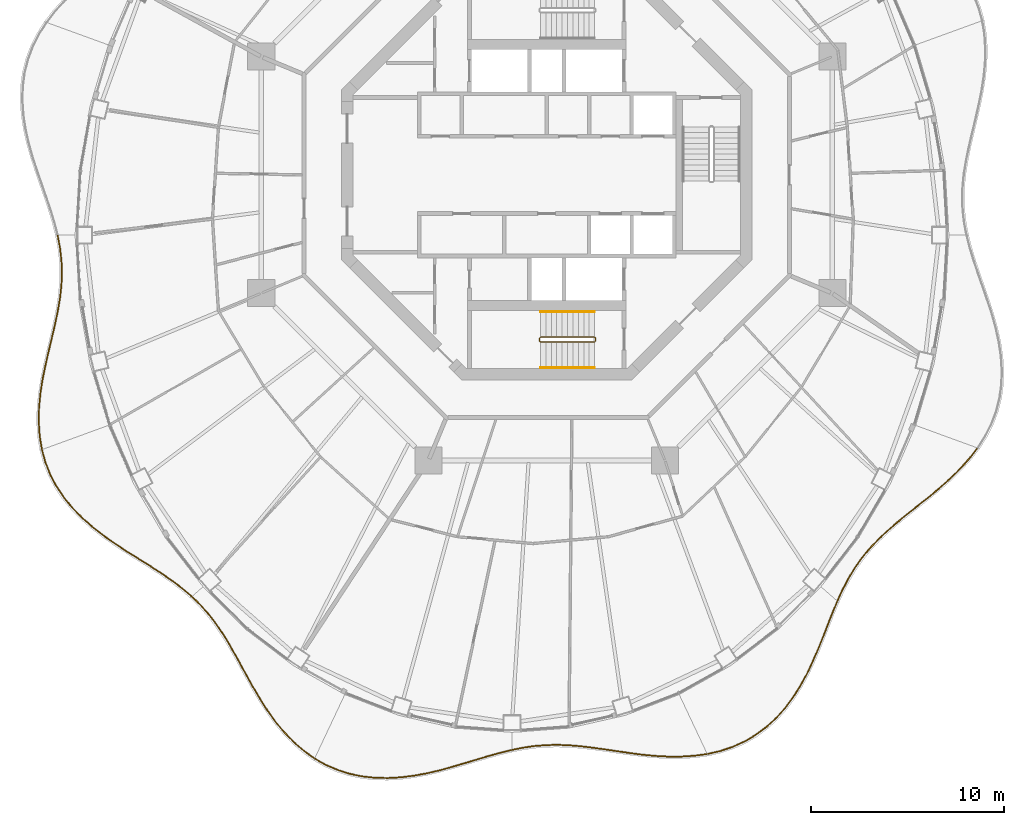
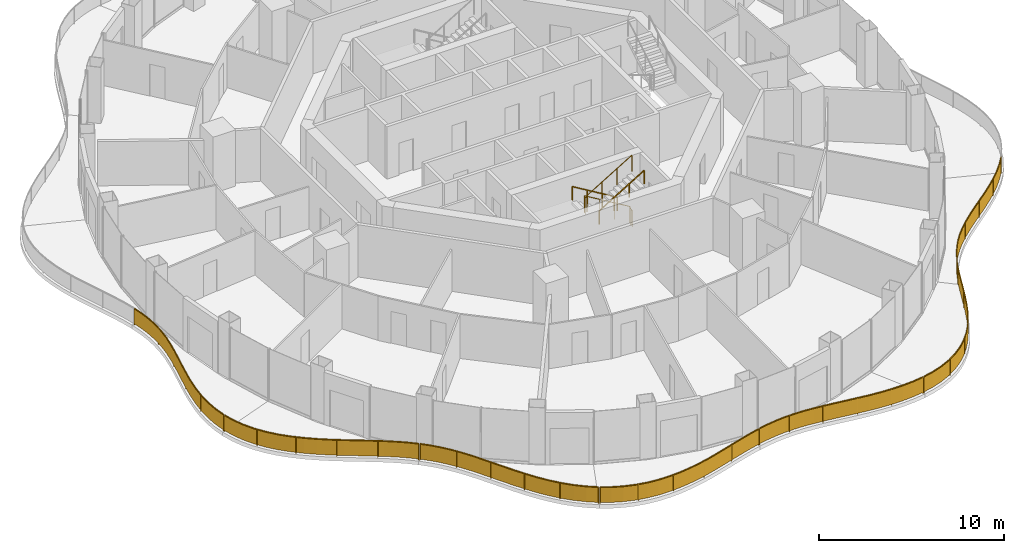
# One storey, part 15 of 17: 10 railings.
"""IFC4 building model written with IfcOpenShell, lengths in metres."""

from ifc_helpers import new_model, si_unit, direction, frame, origin, origin_2d, place, context, subcontext, project, spatial, polyline, rectangle, circle, outline, extrude, material, type_object, element, save


model = new_model("IFC4")

# Units and contexts
model_context = context("Model", 3, precision=1e-05, world=origin(), true_north=direction((0.0, 1.0)))
body_context = subcontext(model_context, "Body", "Model", "MODEL_VIEW")
ifc_project = project(units=[si_unit("LENGTHUNIT", "METRE"), si_unit("AREAUNIT", "SQUARE_METRE"), si_unit("VOLUMEUNIT", "CUBIC_METRE"), si_unit("PLANEANGLEUNIT", "RADIAN"), si_unit("MASSUNIT", "GRAM", prefix="KILO")], contexts=[model_context])

# Site, building, storey
site_placement = place(None, origin())
site = spatial("IfcSite", under=ifc_project, at=site_placement, CompositionType="ELEMENT")
building_placement = place(site_placement, origin())
building = spatial("IfcBuilding", under=site, at=building_placement, Name="Nagisa Residences", CompositionType="ELEMENT")
storey_placement = place(building_placement, frame((0.0, 0.0, 265.89990234375)))
storey = spatial("IfcBuildingStorey", under=building, at=storey_placement, Name="L67", CompositionType="ELEMENT", Elevation=265.89990234375)

# Railings
ifc_material_1 = material(Name="Stainless steel 316", Category="steel")
railing_type_1 = type_object("IfcRailingType", Name="BALCONY GUARD 1100", PredefinedType="BALUSTRADE", material=ifc_material_1)
railing_1_placement = place(storey_placement, frame((-25.318115234375, -3.15234375, 0.0)))
element("IfcRailing", 1, at=railing_1_placement, inside=storey, type_object=railing_type_1, Name="guard:L67:bal08-0", PredefinedType="BALUSTRADE", context=body_context, shape_type="SweptSolid", body=[
    extrude(outline(polyline([(0.140625, -0.60205078125), (0.024658203125, 0.004638671875), (-0.024658203125, -0.004638671875), (0.09130859375, -0.60986328125), (0.166748046875, -1.2529296875), (0.191650390625, -1.897216796875), (0.16748046875, -2.546630859375), (0.096923828125, -3.20458984375), (-0.01513671875, -3.860595703125), (-0.156494140625, -4.544189453125), (-0.31884765625, -5.242431640625), (-0.4892578125, -5.95556640625), (-0.654541015625, -6.68115234375), (-0.804931640625, -7.404052734375), (-0.92041015625, -8.14697265625), (-0.991455078125, -8.891845703125), (-1.007568359375, -9.6328125), (-0.95947265625, -10.364013671875), (-0.849365234375, -11.033203125), (-0.800048828125, -11.02490234375), (-0.90966796875, -10.358154296875), (-0.957275390625, -9.6318359375), (-0.941650390625, -8.894775390625), (-0.87060546875, -8.1533203125), (-0.755615234375, -7.412841796875), (-0.605712890625, -6.69189453125), (-0.4404296875, -5.966796875), (-0.27001953125, -5.254150390625), (-0.107666015625, -4.554931640625), (0.0341796875, -3.869873046875), (0.146728515625, -3.21142578125), (0.21728515625, -2.550048828125), (0.241943359375, -1.897216796875), (0.216552734375, -1.2490234375), (0.140625, -0.60205078125)])), frame((0.0, 0.0, 1.050048828125)), (0.0, 0.0, 1.0), 0.050048828125),
    extrude(outline(polyline([(0.122802734375, -0.60498046875), (0.0068359375, 0.001220703125), (-0.0068359375, -0.001220703125), (0.109130859375, -0.60693359375), (0.1845703125, -1.25146484375), (0.209716796875, -1.897216796875), (0.185302734375, -2.5478515625), (0.114990234375, -3.20703125), (0.002685546875, -3.864013671875), (-0.138916015625, -4.548095703125), (-0.30126953125, -5.24658203125), (-0.4716796875, -5.95947265625), (-0.636962890625, -6.68505859375), (-0.787109375, -7.4072265625), (-0.90234375, -8.149169921875), (-0.9736328125, -8.892822265625), (-0.989501953125, -9.632568359375), (-0.941650390625, -10.36181640625), (-0.83154296875, -11.0302734375), (-0.81787109375, -11.02783203125), (-0.927490234375, -10.3603515625), (-0.975341796875, -9.632080078125), (-0.95947265625, -8.893798828125), (-0.888671875, -8.151123046875), (-0.7734375, -7.40966796875), (-0.623291015625, -6.68798828125), (-0.4580078125, -5.962890625), (-0.28759765625, -5.25), (-0.125244140625, -4.551025390625), (0.016357421875, -3.866455078125), (0.128662109375, -3.208984375), (0.199462890625, -2.548828125), (0.223876953125, -1.897216796875), (0.19873046875, -1.25048828125), (0.122802734375, -0.60498046875)])), frame((0.0, 0.0, 0.06005859375)), (0.0, 0.0, 1.0), 0.989990234375),
    extrude(rectangle(XDim=0.0400390625, YDim=0.0400390625, at=origin_2d()), origin(), (0.0, 0.0, 1.0), 1.050048828125),
    extrude(rectangle(XDim=0.0400390625, YDim=0.0400390625, at=origin_2d()), frame((0.204833984375, -2.2177734375, 0.0)), (0.0, 0.0, 1.0), 1.050048828125),
    extrude(rectangle(XDim=0.0400390625, YDim=0.0400390625, at=origin_2d()), frame((-0.1064453125, -4.426025390625, 0.0)), (0.0, 0.0, 1.0), 1.050048828125),
    extrude(rectangle(XDim=0.0400390625, YDim=0.0400390625, at=origin_2d()), frame((-0.61083984375, -6.60205078125, 0.0)), (0.0, 0.0, 1.0), 1.050048828125),
    extrude(rectangle(XDim=0.0400390625, YDim=0.0400390625, at=origin_2d()), frame((-0.958251953125, -8.806396484375, 0.0)), (0.0, 0.0, 1.0), 1.050048828125),
    extrude(rectangle(XDim=0.0400390625, YDim=0.0400390625, at=origin_2d()), frame((-0.82470703125, -11.029052734375, 0.0)), (0.0, 0.0, 1.0), 1.050048828125),
])
railing_2_placement = place(storey_placement, frame((-26.12646484375, -14.2568359375, 0.0)))
element("IfcRailing", 2, at=railing_2_placement, inside=storey, type_object=railing_type_1, Name="guard:L67:bal09-0", PredefinedType="BALUSTRADE", context=body_context, shape_type="SweptSolid", body=[
    extrude(outline(polyline([(0.196533203125, -0.617919921875), (0.024169921875, 0.006591796875), (-0.024169921875, -0.006591796875), (0.149169921875, -0.634033203125), (0.406982421875, -1.28076171875), (0.734375, -1.897705078125), (1.1279296875, -2.48193359375), (1.5810546875, -3.031494140625), (2.07958984375, -3.53271484375), (2.626953125, -4.012939453125), (3.2060546875, -4.4619140625), (3.805908203125, -4.883544921875), (4.415283203125, -5.282958984375), (5.0146484375, -5.654541015625), (5.611083984375, -6.029541015625), (6.18798828125, -6.40380859375), (6.73828125, -6.78466796875), (7.2568359375, -7.179443359375), (7.710205078125, -7.567138671875), (7.742919921875, -7.529052734375), (7.2880859375, -7.140380859375), (6.767578125, -6.744140625), (6.2158203125, -6.3623046875), (5.637939453125, -5.987548828125), (5.041015625, -5.612060546875), (4.442138671875, -5.240966796875), (3.834228515625, -4.842041015625), (3.23583984375, -4.421875), (2.65869140625, -3.974365234375), (2.11376953125, -3.49609375), (1.6181640625, -2.997802734375), (1.16796875, -2.4521484375), (0.77734375, -1.871826171875), (0.452392578125, -1.259765625), (0.196533203125, -0.617919921875)])), frame((0.0, 0.0, 1.050048828125)), (0.0, 0.0, 1.0), 0.050048828125),
    extrude(outline(polyline([(0.179443359375, -0.623779296875), (0.0068359375, 0.001953125), (-0.0068359375, -0.001953125), (0.166259765625, -0.628173828125), (0.42333984375, -1.273193359375), (0.749755859375, -1.888427734375), (1.142333984375, -2.47119140625), (1.594482421875, -3.019287109375), (2.091796875, -3.51953125), (2.638427734375, -3.9990234375), (3.216796875, -4.447509765625), (3.816162109375, -4.86865234375), (4.425048828125, -5.267822265625), (5.024169921875, -5.63916015625), (5.620849609375, -6.014404296875), (6.197998046875, -6.388916015625), (6.748779296875, -6.77001953125), (7.26806640625, -7.165283203125), (7.721923828125, -7.553466796875), (7.731201171875, -7.542724609375), (7.27685546875, -7.154541015625), (6.757080078125, -6.7587890625), (6.205810546875, -6.377197265625), (5.628173828125, -6.002685546875), (5.031494140625, -5.62744140625), (4.432373046875, -5.256103515625), (3.823974609375, -4.85693359375), (3.22509765625, -4.436279296875), (2.647216796875, -3.98828125), (2.1015625, -3.50927734375), (1.604736328125, -3.010009765625), (1.153564453125, -2.462890625), (0.761962890625, -1.881103515625), (0.43603515625, -1.267333984375), (0.179443359375, -0.623779296875)])), frame((0.0, 0.0, 0.06005859375)), (0.0, 0.0, 1.0), 0.989990234375),
    extrude(rectangle(XDim=0.0400390625, YDim=0.0400390625, at=origin_2d()), origin(), (0.0, 0.0, 1.0), 1.050048828125),
    extrude(rectangle(XDim=0.0400390625, YDim=0.0400390625, at=origin_2d()), frame((0.856201171875, -2.033935546875, 0.0)), (0.0, 0.0, 1.0), 1.050048828125),
    extrude(rectangle(XDim=0.0400390625, YDim=0.0400390625, at=origin_2d()), frame((2.30810546875, -3.699951171875, 0.0)), (0.0, 0.0, 1.0), 1.050048828125),
    extrude(rectangle(XDim=0.0400390625, YDim=0.0400390625, at=origin_2d()), frame((4.078857421875, -5.032470703125, 0.0)), (0.0, 0.0, 1.0), 1.050048828125),
    extrude(rectangle(XDim=0.0400390625, YDim=0.0400390625, at=origin_2d()), frame((5.951904296875, -6.220947265625, 0.0)), (0.0, 0.0, 1.0), 1.050048828125),
    extrude(rectangle(XDim=0.0400390625, YDim=0.0400390625, at=origin_2d()), frame((7.7265625, -7.548095703125, 0.0)), (0.0, 0.0, 1.0), 1.050048828125),
])
railing_3_placement = place(storey_placement, frame((-18.34814453125, -21.850830078125, 0.0)))
element("IfcRailing", 3, at=railing_3_placement, inside=storey, type_object=railing_type_1, Name="guard:L67:bal10-0", PredefinedType="BALUSTRADE", context=body_context, shape_type="SweptSolid", body=[
    extrude(outline(polyline([(0.418701171875, -0.373779296875), (0.017578125, 0.017822265625), (-0.017578125, -0.017822265625), (0.382568359375, -0.408447265625), (0.781982421875, -0.855224609375), (1.15478515625, -1.331298828125), (1.50537109375, -1.837158203125), (1.839599609375, -2.3720703125), (2.152099609375, -2.922607421875), (2.473876953125, -3.50537109375), (2.80126953125, -4.103515625), (3.14111328125, -4.709228515625), (3.5009765625, -5.314453125), (3.8740234375, -5.901123046875), (4.289794921875, -6.475341796875), (4.741943359375, -7.020263671875), (5.2314453125, -7.526123046875), (5.759521484375, -7.983154296875), (6.284912109375, -8.35693359375), (6.313720703125, -8.31591796875), (5.790283203125, -7.943603515625), (5.265625, -7.489501953125), (4.779052734375, -6.987060546875), (4.329345703125, -6.444580078125), (3.91552734375, -5.872802734375), (3.54345703125, -5.2880859375), (3.1845703125, -4.684326171875), (2.84521484375, -4.0791015625), (2.517822265625, -3.4814453125), (2.195556640625, -2.898193359375), (1.882568359375, -2.3466796875), (1.54736328125, -1.809814453125), (1.1953125, -1.301513671875), (0.820556640625, -0.822998046875), (0.418701171875, -0.373779296875)])), frame((0.0, 0.0, 1.050048828125)), (0.0, 0.0, 1.0), 0.050048828125),
    extrude(outline(polyline([(0.40576171875, -0.38623046875), (0.0048828125, 0.005126953125), (-0.0048828125, -0.005126953125), (0.3955078125, -0.39599609375), (0.7958984375, -0.843505859375), (1.16943359375, -1.320556640625), (1.5205078125, -1.827392578125), (1.85498046875, -2.363037109375), (2.167724609375, -2.913818359375), (2.48974609375, -3.496826171875), (2.817138671875, -4.0947265625), (3.15673828125, -4.7001953125), (3.516357421875, -5.304931640625), (3.888916015625, -5.890869140625), (4.303955078125, -6.46435546875), (4.75537109375, -7.00830078125), (5.24365234375, -7.512939453125), (5.7705078125, -7.968994140625), (6.295166015625, -8.342041015625), (6.303466796875, -8.330810546875), (5.779296875, -7.957763671875), (5.25341796875, -7.502685546875), (4.765625, -6.9990234375), (4.315185546875, -6.45556640625), (3.900634765625, -5.883056640625), (3.528076171875, -5.297607421875), (3.1689453125, -4.693359375), (2.829345703125, -4.087890625), (2.501953125, -3.489990234375), (2.179931640625, -2.906982421875), (1.8671875, -2.355712890625), (1.5322265625, -1.819580078125), (1.1806640625, -1.312255859375), (0.806640625, -0.834716796875), (0.40576171875, -0.38623046875)])), frame((0.0, 0.0, 0.06005859375)), (0.0, 0.0, 1.0), 0.989990234375),
    extrude(rectangle(XDim=0.0400390625, YDim=0.0400390625, at=origin_2d()), origin(), (0.0, 0.0, 1.0), 1.050048828125),
    extrude(rectangle(XDim=0.0400390625, YDim=0.0400390625, at=origin_2d()), frame((1.36962890625, -1.59716796875, 0.0)), (0.0, 0.0, 1.0), 1.050048828125),
    extrude(rectangle(XDim=0.0400390625, YDim=0.0400390625, at=origin_2d()), frame((2.448486328125, -3.40771484375, 0.0)), (0.0, 0.0, 1.0), 1.050048828125),
    extrude(rectangle(XDim=0.0400390625, YDim=0.0400390625, at=origin_2d()), frame((3.4873046875, -5.24267578125, 0.0)), (0.0, 0.0, 1.0), 1.050048828125),
    extrude(rectangle(XDim=0.0400390625, YDim=0.0400390625, at=origin_2d()), frame((4.717529296875, -6.951904296875, 0.0)), (0.0, 0.0, 1.0), 1.050048828125),
    extrude(rectangle(XDim=0.0400390625, YDim=0.0400390625, at=origin_2d()), frame((6.29931640625, -8.33642578125, 0.0)), (0.0, 0.0, 1.0), 1.050048828125),
])
railing_4_placement = place(storey_placement, frame((-11.983642578125, -30.229248046875, 0.0)))
element("IfcRailing", 4, at=railing_4_placement, inside=storey, type_object=railing_type_1, Name="guard:L67:bal11-0", PredefinedType="BALUSTRADE", context=body_context, shape_type="SweptSolid", body=[
    extrude(outline(polyline([(0.54638671875, -0.281494140625), (0.012451171875, 0.021728515625), (-0.012451171875, -0.021728515625), (0.52392578125, -0.326416015625), (1.1328125, -0.59228515625), (1.767333984375, -0.79443359375), (2.4228515625, -0.93212890625), (3.09326171875, -1.0068359375), (3.7578125, -1.017578125), (4.44287109375, -0.978759765625), (5.12744140625, -0.892333984375), (5.806640625, -0.7666015625), (6.4765625, -0.610107421875), (7.11669921875, -0.43017578125), (7.760498046875, -0.2412109375), (8.3896484375, -0.051025390625), (9.004638671875, 0.131103515625), (9.606689453125, 0.2978515625), (10.155029296875, 0.43212890625), (10.143310546875, 0.48095703125), (9.593994140625, 0.34619140625), (8.990966796875, 0.179443359375), (8.37548828125, -0.003173828125), (7.746337890625, -0.193359375), (7.10302734375, -0.3818359375), (6.4638671875, -0.561767578125), (5.79638671875, -0.7177734375), (5.11962890625, -0.843017578125), (4.4384765625, -0.928955078125), (3.7568359375, -0.96728515625), (3.0966796875, -0.95703125), (2.4306640625, -0.8828125), (1.780029296875, -0.74609375), (1.150390625, -0.54541015625), (0.54638671875, -0.281494140625)])), frame((0.0, 0.0, 1.050048828125)), (0.0, 0.0, 1.0), 0.050048828125),
    extrude(outline(polyline([(0.538330078125, -0.297607421875), (0.00341796875, 0.006103515625), (-0.00341796875, -0.006103515625), (0.531982421875, -0.310302734375), (1.13916015625, -0.575439453125), (1.77197265625, -0.777099609375), (2.425537109375, -0.914306640625), (3.094482421875, -0.989013671875), (3.757568359375, -0.99951171875), (4.44140625, -0.9609375), (5.12451171875, -0.87451171875), (5.802978515625, -0.7490234375), (6.471923828125, -0.5927734375), (7.11181640625, -0.412841796875), (7.75537109375, -0.223876953125), (8.384521484375, -0.03369140625), (8.999755859375, 0.1484375), (9.60205078125, 0.315185546875), (10.15087890625, 0.44970703125), (10.1474609375, 0.46337890625), (9.5986328125, 0.328857421875), (8.995849609375, 0.162109375), (8.380615234375, -0.0205078125), (7.75146484375, -0.210693359375), (7.10791015625, -0.399169921875), (6.468505859375, -0.5791015625), (5.800048828125, -0.7353515625), (5.12255859375, -0.86083984375), (4.43994140625, -0.94677734375), (3.757080078125, -0.9853515625), (3.095458984375, -0.974853515625), (2.427978515625, -0.900634765625), (1.775390625, -0.763427734375), (1.14404296875, -0.562255859375), (0.538330078125, -0.297607421875)])), frame((0.0, 0.0, 0.06005859375)), (0.0, 0.0, 1.0), 0.989990234375),
    extrude(rectangle(XDim=0.0400390625, YDim=0.0400390625, at=origin_2d()), origin(), (0.0, 0.0, 1.0), 1.050048828125),
    extrude(rectangle(XDim=0.0400390625, YDim=0.0400390625, at=origin_2d()), frame((1.932861328125, -0.8037109375, 0.0)), (0.0, 0.0, 1.0), 1.050048828125),
    extrude(rectangle(XDim=0.0400390625, YDim=0.0400390625, at=origin_2d()), frame((4.0205078125, -0.9775390625, 0.0)), (0.0, 0.0, 1.0), 1.050048828125),
    extrude(rectangle(XDim=0.0400390625, YDim=0.0400390625, at=origin_2d()), frame((6.09814453125, -0.6728515625, 0.0)), (0.0, 0.0, 1.0), 1.050048828125),
    extrude(rectangle(XDim=0.0400390625, YDim=0.0400390625, at=origin_2d()), frame((8.123046875, -0.10546875, 0.0)), (0.0, 0.0, 1.0), 1.050048828125),
    extrude(rectangle(XDim=0.0400390625, YDim=0.0400390625, at=origin_2d()), frame((10.149169921875, 0.45654296875, 0.0)), (0.0, 0.0, 1.0), 1.050048828125),
])
railing_5_placement = place(storey_placement, frame((-1.765380859375, -29.755615234375, 0.0)))
element("IfcRailing", 5, at=railing_5_placement, inside=storey, type_object=railing_type_1, Name="guard:L67:bal12-0", PredefinedType="BALUSTRADE", context=body_context, shape_type="SweptSolid", body=[
    extrude(outline(polyline([(0.537353515625, 0.1318359375), (-0.0048828125, 0.024658203125), (0.0048828125, -0.024658203125), (0.545654296875, 0.08251953125), (1.12548828125, 0.164794921875), (1.705322265625, 0.213134765625), (2.289306640625, 0.226806640625), (2.88037109375, 0.20849609375), (3.465087890625, 0.15869140625), (4.08056640625, 0.088134765625), (4.710693359375, 0.00146484375), (5.355712890625, -0.09375), (6.015380859375, -0.188720703125), (6.670654296875, -0.27880859375), (7.3525390625, -0.34423828125), (8.0400390625, -0.381103515625), (8.728271484375, -0.381591796875), (9.411865234375, -0.337158203125), (10.03759765625, -0.250732421875), (10.03076171875, -0.200927734375), (9.406982421875, -0.287353515625), (8.726806640625, -0.331298828125), (8.04150390625, -0.331298828125), (7.3564453125, -0.29443359375), (6.676513671875, -0.22900390625), (6.022216796875, -0.138916015625), (5.363037109375, -0.04443359375), (4.717529296875, 0.05078125), (4.0869140625, 0.137939453125), (3.469970703125, 0.20849609375), (2.88330078125, 0.25830078125), (2.289306640625, 0.277099609375), (1.702880859375, 0.262939453125), (1.1201171875, 0.214599609375), (0.537353515625, 0.1318359375)])), frame((0.0, 0.0, 1.050048828125)), (0.0, 0.0, 1.0), 0.050048828125),
    extrude(outline(polyline([(0.540283203125, 0.114013671875), (-0.00146484375, 0.0068359375), (0.00146484375, -0.0068359375), (0.542724609375, 0.100341796875), (1.12353515625, 0.1826171875), (1.70458984375, 0.23095703125), (2.289306640625, 0.244873046875), (2.88134765625, 0.226318359375), (3.466796875, 0.176513671875), (4.082763671875, 0.106201171875), (4.713134765625, 0.019287109375), (5.3583984375, -0.075927734375), (6.017822265625, -0.170654296875), (6.6728515625, -0.2607421875), (7.35400390625, -0.326416015625), (8.04052734375, -0.36328125), (8.727783203125, -0.363525390625), (9.41015625, -0.3193359375), (10.03515625, -0.232666015625), (10.033203125, -0.218994140625), (9.40869140625, -0.30517578125), (8.727294921875, -0.349365234375), (8.041015625, -0.34912109375), (7.35498046875, -0.312255859375), (6.67431640625, -0.2470703125), (6.019775390625, -0.156982421875), (5.3603515625, -0.062255859375), (4.715087890625, 0.032958984375), (4.084716796875, 0.119873046875), (3.46826171875, 0.190673828125), (2.88232421875, 0.240478515625), (2.289306640625, 0.259033203125), (1.70361328125, 0.2451171875), (1.1220703125, 0.19677734375), (0.540283203125, 0.114013671875)])), frame((0.0, 0.0, 0.06005859375)), (0.0, 0.0, 1.0), 0.989990234375),
    extrude(rectangle(XDim=0.0400390625, YDim=0.0400390625, at=origin_2d()), origin(), (0.0, 0.0, 1.0), 1.050048828125),
    extrude(rectangle(XDim=0.0400390625, YDim=0.0400390625, at=origin_2d()), frame((2.0009765625, 0.2451171875, 0.0)), (0.0, 0.0, 1.0), 1.050048828125),
    extrude(rectangle(XDim=0.0400390625, YDim=0.0400390625, at=origin_2d()), frame((4.01416015625, 0.12109375, 0.0)), (0.0, 0.0, 1.0), 1.050048828125),
    extrude(rectangle(XDim=0.0400390625, YDim=0.0400390625, at=origin_2d()), frame((6.013427734375, -0.1630859375, 0.0)), (0.0, 0.0, 1.0), 1.050048828125),
    extrude(rectangle(XDim=0.0400390625, YDim=0.0400390625, at=origin_2d()), frame((8.022216796875, -0.355224609375, 0.0)), (0.0, 0.0, 1.0), 1.050048828125),
    extrude(rectangle(XDim=0.0400390625, YDim=0.0400390625, at=origin_2d()), frame((10.0341796875, -0.225830078125, 0.0)), (0.0, 0.0, 1.0), 1.050048828125),
])
railing_6_placement = place(storey_placement, frame((8.344970703125, -29.968017578125, 0.0)))
element("IfcRailing", 6, at=railing_6_placement, inside=storey, type_object=railing_type_1, Name="guard:L67:bal13-0", PredefinedType="BALUSTRADE", context=body_context, shape_type="SweptSolid", body=[
    extrude(outline(polyline([(0.626220703125, 0.168701171875), (-0.005615234375, 0.0244140625), (0.005615234375, -0.0244140625), (0.639892578125, 0.120361328125), (1.296142578125, 0.341064453125), (1.921630859375, 0.6259765625), (2.511474609375, 0.974853515625), (3.05859375, 1.38330078125), (3.553955078125, 1.842529296875), (4.016357421875, 2.359619140625), (4.43505859375, 2.919921875), (4.811767578125, 3.514892578125), (5.150390625, 4.135498046875), (5.44384765625, 4.76171875), (5.722900390625, 5.40576171875), (5.982421875, 6.048828125), (6.23046875, 6.68310546875), (6.4755859375, 7.302001953125), (6.707763671875, 7.860595703125), (6.661376953125, 7.879638671875), (6.42919921875, 7.321044921875), (6.18408203125, 6.70166015625), (5.93603515625, 6.0673828125), (5.676513671875, 5.42529296875), (5.3984375, 4.7822265625), (5.10595703125, 4.157958984375), (4.768798828125, 3.540283203125), (4.39404296875, 2.9482421875), (3.977783203125, 2.391357421875), (3.518310546875, 1.877685546875), (3.0263671875, 1.421875), (2.483642578125, 1.016357421875), (1.898681640625, 0.67041015625), (1.277587890625, 0.387451171875), (0.626220703125, 0.168701171875)])), frame((0.0, 0.0, 1.050048828125)), (0.0, 0.0, 1.0), 0.050048828125),
    extrude(outline(polyline([(0.631103515625, 0.1513671875), (-0.00146484375, 0.0068359375), (0.00146484375, -0.0068359375), (0.635009765625, 0.1376953125), (1.28955078125, 0.357666015625), (1.913330078125, 0.64208984375), (2.50146484375, 0.98974609375), (3.046875, 1.397216796875), (3.541015625, 1.855224609375), (4.00244140625, 2.37109375), (4.42041015625, 2.93017578125), (4.79638671875, 3.52392578125), (5.134521484375, 4.1435546875), (5.427490234375, 4.76904296875), (5.7060546875, 5.412841796875), (5.9658203125, 6.055419921875), (6.2138671875, 6.68994140625), (6.458984375, 7.308837890625), (6.69091796875, 7.867431640625), (6.67822265625, 7.872802734375), (6.44580078125, 7.314208984375), (6.20068359375, 6.69482421875), (5.95263671875, 6.060791015625), (5.693359375, 5.418212890625), (5.414794921875, 4.77490234375), (5.121826171875, 4.14990234375), (4.7841796875, 3.53125), (4.40869140625, 2.93798828125), (3.99169921875, 2.3798828125), (3.53125, 1.864990234375), (3.0380859375, 1.407958984375), (2.49365234375, 1.00146484375), (1.906982421875, 0.654296875), (1.2841796875, 0.370849609375), (0.631103515625, 0.1513671875)])), frame((0.0, 0.0, 0.06005859375)), (0.0, 0.0, 1.0), 0.989990234375),
    extrude(rectangle(XDim=0.0400390625, YDim=0.0400390625, at=origin_2d()), origin(), (0.0, 0.0, 1.0), 1.050048828125),
    extrude(rectangle(XDim=0.0400390625, YDim=0.0400390625, at=origin_2d()), frame((2.043212890625, 0.726806640625, 0.0)), (0.0, 0.0, 1.0), 1.050048828125),
    extrude(rectangle(XDim=0.0400390625, YDim=0.0400390625, at=origin_2d()), frame((3.734375, 2.081787109375, 0.0)), (0.0, 0.0, 1.0), 1.050048828125),
    extrude(rectangle(XDim=0.0400390625, YDim=0.0400390625, at=origin_2d()), frame((4.974609375, 3.865478515625, 0.0)), (0.0, 0.0, 1.0), 1.050048828125),
    extrude(rectangle(XDim=0.0400390625, YDim=0.0400390625, at=origin_2d()), frame((5.874267578125, 5.847900390625, 0.0)), (0.0, 0.0, 1.0), 1.050048828125),
    extrude(rectangle(XDim=0.0400390625, YDim=0.0400390625, at=origin_2d()), frame((6.6845703125, 7.8701171875, 0.0)), (0.0, 0.0, 1.0), 1.050048828125),
])
railing_7_placement = place(storey_placement, frame((15.056884765625, -22.0302734375, 0.0)))
element("IfcRailing", 7, at=railing_7_placement, inside=storey, type_object=railing_type_1, Name="guard:L67:bal14-0", PredefinedType="BALUSTRADE", context=body_context, shape_type="SweptSolid", body=[
    extrude(outline(polyline([(0.235595703125, 0.573486328125), (-0.022705078125, 0.010498046875), (0.022705078125, -0.010498046875), (0.280517578125, 0.551513671875), (0.579345703125, 1.123046875), (0.90771484375, 1.66455078125), (1.27001953125, 2.17724609375), (1.669189453125, 2.6640625), (2.09814453125, 3.1171875), (2.571533203125, 3.566650390625), (3.077880859375, 4.00634765625), (3.610595703125, 4.4423828125), (4.162109375, 4.882568359375), (4.716064453125, 5.319091796875), (5.275146484375, 5.784912109375), (5.821044921875, 6.271484375), (6.34228515625, 6.78271484375), (6.827392578125, 7.321533203125), (7.23828125, 7.85107421875), (7.19873046875, 7.8818359375), (6.788818359375, 7.353759765625), (6.30615234375, 6.8173828125), (5.786865234375, 6.30810546875), (5.242431640625, 5.822998046875), (4.684326171875, 5.358154296875), (4.130859375, 4.921630859375), (3.579345703125, 4.4814453125), (3.045654296875, 4.04443359375), (2.537841796875, 3.603759765625), (2.0625, 3.15234375), (1.631591796875, 2.697265625), (1.22998046875, 2.20751953125), (0.86572265625, 1.69189453125), (0.535888671875, 1.1474609375), (0.235595703125, 0.573486328125)])), frame((0.0, 0.0, 1.050048828125)), (0.0, 0.0, 1.0), 0.050048828125),
    extrude(outline(polyline([(0.251708984375, 0.565673828125), (-0.00634765625, 0.0029296875), (0.00634765625, -0.0029296875), (0.264404296875, 0.559326171875), (0.563720703125, 1.1318359375), (0.892578125, 1.67431640625), (1.255615234375, 2.188232421875), (1.65576171875, 2.676025390625), (2.085205078125, 3.1298828125), (2.559326171875, 3.580078125), (3.066162109375, 4.02001953125), (3.599365234375, 4.45654296875), (4.15087890625, 4.896728515625), (4.70458984375, 5.333251953125), (5.263427734375, 5.798583984375), (5.808837890625, 6.28466796875), (6.329345703125, 6.795166015625), (6.8134765625, 7.333251953125), (7.22412109375, 7.862060546875), (7.212890625, 7.870849609375), (6.802734375, 7.342041015625), (6.319091796875, 6.804931640625), (5.799072265625, 6.294921875), (5.254150390625, 5.809326171875), (4.69580078125, 5.343994140625), (4.14208984375, 4.907470703125), (3.590576171875, 4.46728515625), (3.057373046875, 4.03076171875), (2.550048828125, 3.59033203125), (2.075439453125, 3.1396484375), (1.64501953125, 2.685302734375), (1.244384765625, 2.196533203125), (0.880859375, 1.68212890625), (0.551513671875, 1.138671875), (0.251708984375, 0.565673828125)])), frame((0.0, 0.0, 0.06005859375)), (0.0, 0.0, 1.0), 0.989990234375),
    extrude(rectangle(XDim=0.0400390625, YDim=0.0400390625, at=origin_2d()), origin(), (0.0, 0.0, 1.0), 1.050048828125),
    extrude(rectangle(XDim=0.0400390625, YDim=0.0400390625, at=origin_2d()), frame((1.03564453125, 1.888916015625, 0.0)), (0.0, 0.0, 1.0), 1.050048828125),
    extrude(rectangle(XDim=0.0400390625, YDim=0.0400390625, at=origin_2d()), frame((2.46435546875, 3.49951171875, 0.0)), (0.0, 0.0, 1.0), 1.050048828125),
    extrude(rectangle(XDim=0.0400390625, YDim=0.0400390625, at=origin_2d()), frame((4.12109375, 4.8818359375, 0.0)), (0.0, 0.0, 1.0), 1.050048828125),
    extrude(rectangle(XDim=0.0400390625, YDim=0.0400390625, at=origin_2d()), frame((5.776611328125, 6.265380859375, 0.0)), (0.0, 0.0, 1.0), 1.050048828125),
    extrude(rectangle(XDim=0.0400390625, YDim=0.0400390625, at=origin_2d()), frame((7.218505859375, 7.866455078125, 0.0)), (0.0, 0.0, 1.0), 1.050048828125),
])
ifc_material_2 = material(Name="Stainless steel", Category="steel")
railing_type_2 = type_object("IfcRailingType", Name="Stair guard 1100", PredefinedType="GUARDRAIL", material=ifc_material_2)
railing_8_placement = place(storey_placement, frame((2.52490234375, -8.599609375, 0.0)))
element("IfcRailing", 8, at=railing_8_placement, inside=storey, type_object=railing_type_2, Name="L67 ST-S stair guard 1", PredefinedType="GUARDRAIL", context=body_context, shape_type="SweptSolid", body=[
    extrude(circle(Radius=0.02392578125, at=origin_2d()), frame((0.0, 0.0, 1.076171875), z_axis=(0.0, 1.0, 0.0), x_axis=(-1.0, 0.0, 0.0)), (0.0, 0.0, 1.0), 0.14990234375),
    extrude(circle(Radius=0.02392578125, at=origin_2d()), frame((0.0, 0.14990234375, 1.076171875), z_axis=(-0.273006030465, 0.27434429532, 0.922064485248), x_axis=(-0.708833529934, -0.705375805398, 0.0)), (0.0, 0.0, 1.0), 0.182373046875),
    extrude(circle(Radius=0.02392578125, at=origin_2d()), frame((-0.0498046875, 0.199951171875, 1.244140625), z_axis=(-0.857242210791, 0.0, 0.514913383045), x_axis=(0.0, -1.0, 0.0)), (0.0, 0.0, 1.0), 3.266357421875),
    extrude(circle(Radius=0.02392578125, at=origin_2d()), frame((-2.849853515625, 0.199951171875, 2.92626953125), z_axis=(-0.707106781187, -0.707106781187, 0.0), x_axis=(0.707106781187, -0.707106781187, 0.0)), (0.0, 0.0, 1.0), 0.07080078125),
    extrude(circle(Radius=0.02392578125, at=origin_2d()), frame((-2.89990234375, 0.14990234375, 2.92626953125), z_axis=(0.0, -1.0, 0.0), x_axis=(1.0, 0.0, 0.0)), (0.0, 0.0, 1.0), 0.14990234375),
    extrude(circle(Radius=0.02392578125, at=origin_2d()), frame((-2.89990234375, 0.0, 2.92626953125), z_axis=(0.274243871929, -0.274243871929, 0.92172696468), x_axis=(0.707106781187, 0.707106781187, 0.0)), (0.0, 0.0, 1.0), 0.1826171875),
    extrude(circle(Radius=0.02392578125, at=origin_2d()), frame((-2.849853515625, -0.050048828125, 3.09423828125), z_axis=(0.857242210791, 0.0, 0.514913383045), x_axis=(0.0, 1.0, 0.0)), (0.0, 0.0, 1.0), 3.266357421875),
    extrude(circle(Radius=0.02099609375, at=origin_2d()), origin(), (0.0, 0.0, 1.0), 1.052001953125),
    extrude(circle(Radius=0.02099609375, at=origin_2d()), frame((0.0, 0.14990234375, 0.0)), (0.0, 0.0, 1.0), 1.052001953125),
    extrude(circle(Radius=0.02099609375, at=origin_2d()), frame((-0.0498046875, 0.199951171875, 0.168212890625)), (0.0, 0.0, 1.0), 1.052001953125),
    extrude(circle(Radius=0.02099609375, at=origin_2d()), frame((-0.983154296875, 0.199951171875, 0.728759765625)), (0.0, 0.0, 1.0), 1.052001953125),
    extrude(circle(Radius=0.02099609375, at=origin_2d()), frame((-1.91650390625, 0.199951171875, 1.28955078125)), (0.0, 0.0, 1.0), 1.052001953125),
    extrude(circle(Radius=0.02099609375, at=origin_2d()), frame((-2.849853515625, 0.199951171875, 1.85009765625)), (0.0, 0.0, 1.0), 1.052001953125),
    extrude(circle(Radius=0.02099609375, at=origin_2d()), frame((-2.89990234375, 0.14990234375, 1.85009765625)), (0.0, 0.0, 1.0), 1.052001953125),
    extrude(circle(Radius=0.02099609375, at=origin_2d()), frame((-2.89990234375, 0.0, 1.85009765625)), (0.0, 0.0, 1.0), 1.052001953125),
    extrude(circle(Radius=0.02099609375, at=origin_2d()), frame((-2.849853515625, -0.050048828125, 2.018310546875)), (0.0, 0.0, 1.0), 1.052001953125),
    extrude(circle(Radius=0.02099609375, at=origin_2d()), frame((-1.91650390625, -0.050048828125, 2.578857421875)), (0.0, 0.0, 1.0), 1.052001953125),
    extrude(circle(Radius=0.02099609375, at=origin_2d()), frame((-0.983154296875, -0.050048828125, 3.1396484375)), (0.0, 0.0, 1.0), 1.052001953125),
    extrude(circle(Radius=0.02099609375, at=origin_2d()), frame((-0.0498046875, -0.050048828125, 3.7001953125)), (0.0, 0.0, 1.0), 1.052001953125),
])
ifc_material_3 = material(Name="Stainless steel", Category="steel")
railing_type_3 = type_object("IfcRailingType", Name="Stair handrail 900", PredefinedType="HANDRAIL", material=ifc_material_3)
railing_9_placement = place(storey_placement, frame((2.47509765625, -7.07470703125, 0.168212890625)))
element("IfcRailing", 9, at=railing_9_placement, inside=storey, type_object=railing_type_3, Name="L67 ST-S stair handrail 1", PredefinedType="HANDRAIL", context=body_context, shape_type="SweptSolid", body=[
    extrude(circle(Radius=0.02392578125, at=origin_2d()), frame((0.0, 0.0, 0.8759765625), z_axis=(-0.857242210791, 0.0, 0.514913383045), x_axis=(0.0, -1.0, 0.0)), (0.0, 0.0, 1.0), 3.266357421875),
    extrude(circle(Radius=0.02099609375, at=origin_2d()), origin(), (0.0, 0.0, 1.0), 0.851806640625),
    extrude(circle(Radius=0.02099609375, at=origin_2d()), frame((-0.933349609375, 0.0, 0.560546875)), (0.0, 0.0, 1.0), 0.851806640625),
    extrude(circle(Radius=0.02099609375, at=origin_2d()), frame((-1.86669921875, 0.0, 1.121337890625)), (0.0, 0.0, 1.0), 0.851806640625),
    extrude(circle(Radius=0.02099609375, at=origin_2d()), frame((-2.800048828125, 0.0, 1.681884765625)), (0.0, 0.0, 1.0), 0.851806640625),
])
railing_10_placement = place(storey_placement, frame((-0.324951171875, -9.974609375, 2.018310546875)))
element("IfcRailing", 10, at=railing_10_placement, inside=storey, type_object=railing_type_3, Name="L67 ST-S stair handrail 2", PredefinedType="HANDRAIL", context=body_context, shape_type="SweptSolid", body=[
    extrude(circle(Radius=0.02392578125, at=origin_2d()), frame((0.0, 0.0, 0.8759765625), z_axis=(0.857242210791, 0.0, 0.514913383045), x_axis=(0.0, 1.0, 0.0)), (0.0, 0.0, 1.0), 3.266357421875),
    extrude(circle(Radius=0.02099609375, at=origin_2d()), origin(), (0.0, 0.0, 1.0), 0.851806640625),
    extrude(circle(Radius=0.02099609375, at=origin_2d()), frame((0.933349609375, 0.0, 0.560546875)), (0.0, 0.0, 1.0), 0.851806640625),
    extrude(circle(Radius=0.02099609375, at=origin_2d()), frame((1.86669921875, 0.0, 1.121337890625)), (0.0, 0.0, 1.0), 0.851806640625),
    extrude(circle(Radius=0.02099609375, at=origin_2d()), frame((2.800048828125, 0.0, 1.681884765625)), (0.0, 0.0, 1.0), 0.851806640625),
])

save(model, "model.ifc")
